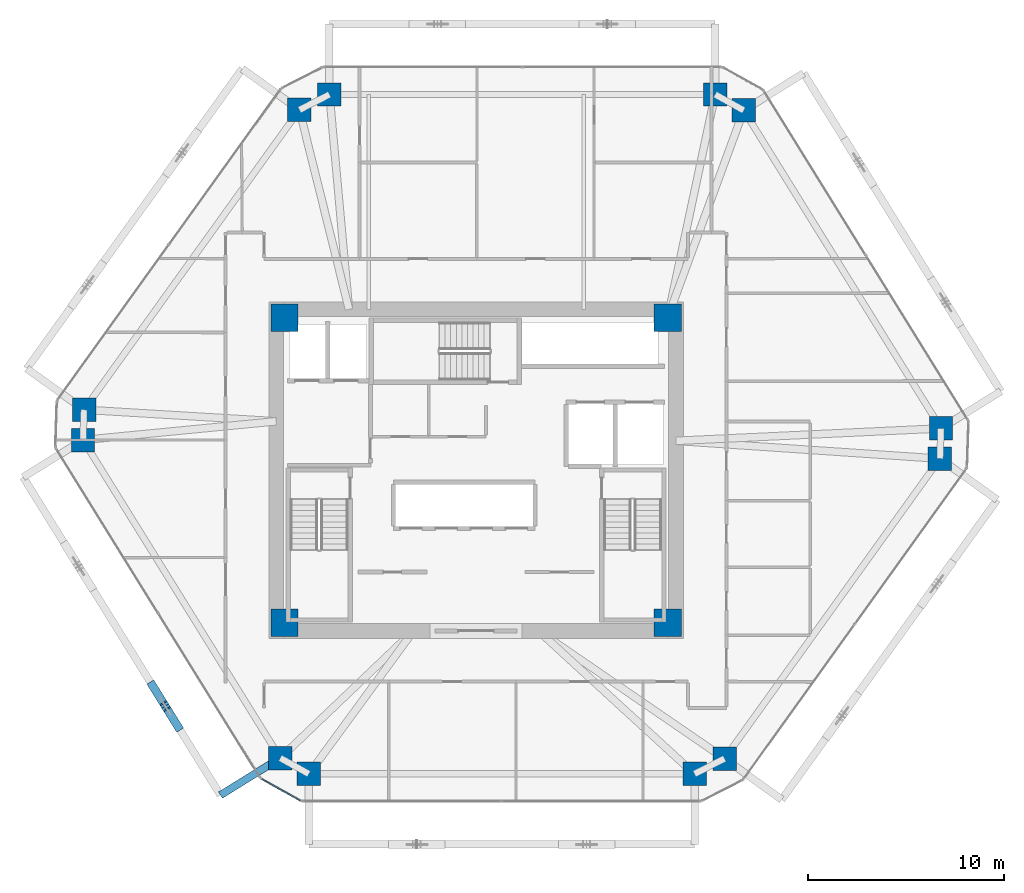
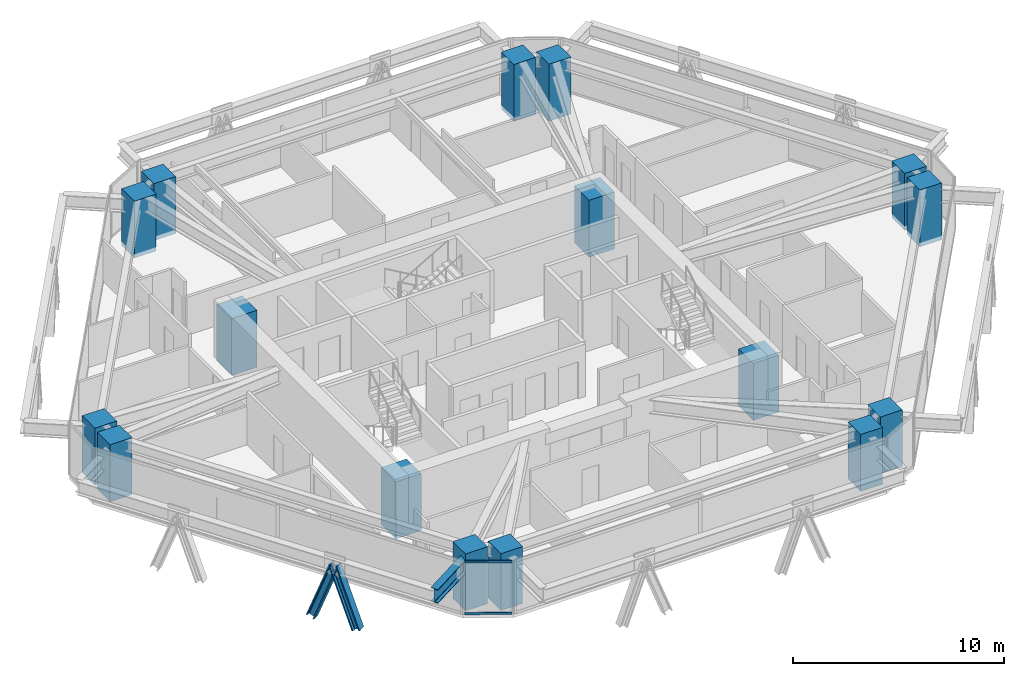
# One storey, part 1 of 16: 16 columns, 4 members, 1 beam, 1 element without a shape of its own.
"""IFC4 building model written with IfcOpenShell, lengths in metres."""

from ifc_helpers import new_model, si_unit, direction, frame, origin, origin_2d, place, context, subcontext, project, spatial, rectangle, i_section, extrude, source, transform, mapped, material, layer, layer_set, material_profile, profile_set, type_object, type_shapes, element, aggregate, save


model = new_model("IFC4")

# Units and contexts
model_context = context("Model", 3, precision=1e-05, world=origin(), true_north=direction((0.0, 1.0)))
body_context = subcontext(model_context, "Body", "Model", "MODEL_VIEW")
ifc_project = project(units=[si_unit("LENGTHUNIT", "METRE"), si_unit("AREAUNIT", "SQUARE_METRE"), si_unit("VOLUMEUNIT", "CUBIC_METRE"), si_unit("PLANEANGLEUNIT", "RADIAN"), si_unit("MASSUNIT", "GRAM", prefix="KILO")], contexts=[model_context])

# Site, building, storey
site_placement = place(None, origin())
site = spatial("IfcSite", under=ifc_project, at=site_placement, CompositionType="ELEMENT")
building_placement = place(site_placement, origin())
building = spatial("IfcBuilding", under=site, at=building_placement, Name="Durnholm Broadcast Tower", CompositionType="ELEMENT")
storey_placement = place(building_placement, frame((0.0, 0.0, 117.300048828125)))
storey = spatial("IfcBuildingStorey", under=building, at=storey_placement, Name="L31", CompositionType="ELEMENT", Elevation=117.300048828125)

# Columns
ifc_material_1 = material(Name="Concrete C70/85", Category="concrete")
ifc_material_profile_1 = material_profile(ifc_material_1, rectangle(XDim=1.39990234375, YDim=1.39990234375, at=origin_2d()), Name="RC1400X1400")
ifc_profile_set_1 = profile_set([ifc_material_profile_1], Name="Concrete C70/85")
column_type_1 = type_object("IfcColumnType", Name="COL-CC-1400", PredefinedType="COLUMN", material=ifc_profile_set_1)
shared_shape_1 = source(origin(), body_context, "Body", "SweptSolid", [
    extrude(rectangle(XDim=1.39990234375, YDim=1.39990234375, at=origin_2d()), origin(), (0.0, 0.0, 1.0), 3.300048828125),
])
type_shapes(column_type_1, [shared_shape_1])
for number, where, z_axis, x_axis, name in (
    (1, (-9.800048828125, -7.800048828125, -0.239990234375), (0.0, 0.0, 1.0), (1.0, 0.0, 0.0), "L31 core corner column 1"),
    (2, (9.800048828125, -7.800048828125, -0.239990234375), (0.0, 0.0, 1.0), (1.0, 0.0, 0.0), "L31 core corner column 2"),
    (3, (9.800048828125, 7.800048828125, -0.239990234375), (0.0, 0.0, 1.0), (1.0, 0.0, 0.0), "L31 core corner column 3"),
    (4, (-9.800048828125, 7.800048828125, -0.239990234375), (0.0, 0.0, 1.0), (1.0, 0.0, 0.0), "L31 core corner column 4"),
):
    element("IfcColumn", number, at=place(storey_placement, frame(where, z_axis=z_axis, x_axis=x_axis)), inside=storey, type_object=column_type_1, Name=name, PredefinedType="COLUMN", context=body_context, shape_type="MappedRepresentation", body=[
        mapped(shared_shape_1, transform((0.0, 0.0, 0.0), x_axis=(1.0, 0.0, 0.0), y_axis=(0.0, 1.0, 0.0), z_axis=(0.0, 0.0, 1.0), scale=1.0)),
    ])
ifc_material_profile_2 = material_profile(ifc_material_1, rectangle(XDim=1.199951171875, YDim=1.199951171875, at=origin_2d()), Name="RC1200X1200")
ifc_profile_set_2 = profile_set([ifc_material_profile_2], Name="Concrete C70/85")
column_type_2 = type_object("IfcColumnType", Name="COL-CC-1200", PredefinedType="COLUMN", material=ifc_profile_set_2)
shared_shape_2 = source(origin(), body_context, "Body", "SweptSolid", [
    extrude(rectangle(XDim=1.199951171875, YDim=1.199951171875, at=origin_2d()), origin(), (0.0, 0.0, 1.0), 3.300048828125),
])
type_shapes(column_type_2, [shared_shape_2])
for number, where, z_axis, x_axis, name in (
    (5, (-10.01416015625, -14.723388671875, -0.239990234375), (0.0, 0.0, 1.0), (1.0, 0.0, 0.0), "L31 perimeter hexagonal tube column 01"),
    (6, (-20.102783203125, 1.54150390625, -0.239990234375), (0.0, 0.0, 1.0), (1.0, 0.0, 0.0), "L31 perimeter hexagonal tube column 02"),
    (7, (-20.050048828125, 3.091064453125, -0.239990234375), (0.0, 0.0, 1.0), (1.0, 0.0, 0.0), "L31 perimeter hexagonal tube column 03"),
    (8, (-9.031982421875, 18.42822265625, -0.239990234375), (0.0, 0.0, 1.0), (1.0, 0.0, 0.0), "L31 perimeter hexagonal tube column 04"),
    (9, (-7.498046875, 19.215087890625, -0.239990234375), (0.0, 0.0, 1.0), (1.0, 0.0, 0.0), "L31 perimeter hexagonal tube column 05"),
    (10, (12.22998046875, 19.215087890625, -0.239990234375), (0.0, 0.0, 1.0), (1.0, 0.0, 0.0), "L31 perimeter hexagonal tube column 06"),
    (11, (13.692138671875, 18.4013671875, -0.239990234375), (0.0, 0.0, 1.0), (1.0, 0.0, 0.0), "L31 perimeter hexagonal tube column 07"),
    (12, (23.78076171875, 2.13671875, -0.239990234375), (0.0, 0.0, 1.0), (1.0, 0.0, 0.0), "L31 perimeter hexagonal tube column 08"),
    (13, (23.72802734375, 0.5869140625, -0.239990234375), (0.0, 0.0, 1.0), (1.0, 0.0, 0.0), "L31 perimeter hexagonal tube column 09"),
    (14, (12.7099609375, -14.750244140625, -0.239990234375), (0.0, 0.0, 1.0), (1.0, 0.0, 0.0), "L31 perimeter hexagonal tube column 10"),
    (15, (11.176025390625, -15.537109375, -0.239990234375), (0.0, 0.0, 1.0), (1.0, 0.0, 0.0), "L31 perimeter hexagonal tube column 11"),
    (16, (-8.552001953125, -15.537109375, -0.239990234375), (0.0, 0.0, 1.0), (1.0, 0.0, 0.0), "L31 perimeter hexagonal tube column 12"),
):
    element("IfcColumn", number, at=place(storey_placement, frame(where, z_axis=z_axis, x_axis=x_axis)), inside=storey, type_object=column_type_2, Name=name, PredefinedType="COLUMN", context=body_context, shape_type="MappedRepresentation", body=[
        mapped(shared_shape_2, transform((0.0, 0.0, 0.0), x_axis=(1.0, 0.0, 0.0), y_axis=(0.0, 1.0, 0.0), z_axis=(0.0, 0.0, 1.0), scale=1.0)),
    ])

# Beam
ifc_material_2 = material(Name="Steel ASTM A992 Grade 50", Category="steel")
ifc_material_profile_3 = material_profile(ifc_material_2, i_section(OverallWidth=0.385009765625, OverallDepth=0.802978515625, WebThickness=0.023681640625, FlangeThickness=0.0419921875, FilletRadius=0.032958984375, at=origin_2d()), Name="W30X261")
ifc_profile_set_3 = profile_set([ifc_material_profile_3], Name="Steel ASTM A992 Grade 50")
beam_type = type_object("IfcBeamType", Name="BM-EXO-TIE", PredefinedType="USERDEFINED", material=ifc_profile_set_3)
shared_shape_3 = source(origin(), body_context, "Body", "SweptSolid", [
    extrude(i_section(OverallWidth=0.385009765625, OverallDepth=0.802978515625, WebThickness=0.023681640625, FlangeThickness=0.0419921875, FilletRadius=0.032958984375, at=origin_2d()), origin(), (0.0, 0.0, 1.0), 3.455810546875),
])
type_shapes(beam_type, [shared_shape_3])
beam_placement = place(storey_placement, frame((-10.13671875, -14.79931640625, 2.30859375), z_axis=(-0.849807128357, -0.527093772107, 0.0), x_axis=(0.527093772107, -0.849807128357, 0.0)))
element("IfcBeam", 17, at=beam_placement, inside=storey, type_object=beam_type, Name="L31 exoskeleton stand-off tie bracket F6.2", ObjectType="GIRDER", PredefinedType="USERDEFINED", context=body_context, shape_type="MappedRepresentation", body=[
    mapped(shared_shape_3, transform((0.0, 0.0, 0.0), x_axis=(1.0, 0.0, 0.0), y_axis=(0.0, 1.0, 0.0), z_axis=(0.0, 0.0, 1.0), scale=1.0)),
])

# Members
ifc_material_3 = material(Name="Steel ASTM A913 Grade 65", Category="steel")
ifc_material_profile_4 = material_profile(ifc_material_3, i_section(OverallWidth=0.41845703125, OverallDepth=0.455078125, WebThickness=0.0419921875, FlangeThickness=0.067626953125, FilletRadius=0.030517578125, at=origin_2d()), Name="W14X370")
ifc_profile_set_4 = profile_set([ifc_material_profile_4], Name="Steel ASTM A913 Grade 65")
member_type_1 = type_object("IfcMemberType", Name="STL-DG-W14X370", PredefinedType="BRACE", material=ifc_profile_set_4)
shared_shape_4 = source(origin(), body_context, "Body", "SweptSolid", [
    extrude(i_section(OverallWidth=0.41845703125, OverallDepth=0.455078125, WebThickness=0.0419921875, FlangeThickness=0.067626953125, FilletRadius=0.030517578125, at=origin_2d()), origin(), (0.0, 0.0, 1.0), 3.523193359375),
])
type_shapes(member_type_1, [shared_shape_4])
for number, where, z_axis, x_axis, name in (
    (18, (-16.548583984375, -11.018310546875, -0.991455078125), (0.184606642766, -0.297560406921, 0.936684681032), (0.849750220063, 0.527185511469, 0.0), "L31 stand-off diagrid brace F6.D2.1"),
    (19, (-15.247802734375, -13.115234375, -0.991455078125), (-0.184602835855, 0.297623566065, 0.936665364961), (-0.849805205368, -0.527096872433, 0.0), "L31 stand-off diagrid brace F6.D2.2"),
):
    element("IfcMember", number, at=place(storey_placement, frame(where, z_axis=z_axis, x_axis=x_axis)), inside=storey, type_object=member_type_1, Name=name, PredefinedType="BRACE", context=body_context, shape_type="MappedRepresentation", body=[
        mapped(shared_shape_4, transform((0.0, 0.0, 0.0), x_axis=(1.0, 0.0, 0.0), y_axis=(0.0, 1.0, 0.0), z_axis=(0.0, 0.0, 1.0), scale=1.0)),
    ])

# Curtain wall, members
ifc_material_4 = material(Name="Aluminium and Solar Control IGU", Category="aluminium")
ifc_layer = layer(ifc_material_4, 0.1650390625)
ifc_layer_set = layer_set([ifc_layer], Name="Aluminium and Solar Control IGU")
curtain_wall_type = type_object("IfcCurtainWallType", Name="CW-SYS-5", PredefinedType="NOTDEFINED", material=ifc_layer_set)
curtain_wall_placement = place(storey_placement, origin())
curtain_wall = element("IfcCurtainWall", 20, at=curtain_wall_placement, inside=storey, type_object=curtain_wall_type, Name="L31 curtain wall CW-CORNER CW-L31-CRN-11", PredefinedType="NOTDEFINED")
ifc_material_5 = material(Name="Aluminium 6063-T6", Category="aluminium")
ifc_material_profile_5 = material_profile(ifc_material_5, rectangle(XDim=0.06494140625, YDim=0.1298828125, at=origin_2d()), Name="CWT65X130")
ifc_profile_set_5 = profile_set([ifc_material_profile_5], Name="Aluminium 6063-T6")
member_type_2 = type_object("IfcMemberType", Name="CW-SYS-5-TRN", PredefinedType="USERDEFINED", material=ifc_profile_set_5)
shared_shape_5 = source(origin(), body_context, "Body", "SweptSolid", [
    extrude(rectangle(XDim=0.06494140625, YDim=0.1298828125, at=origin_2d()), origin(), (0.0, 0.0, 1.0), 2.27001953125),
])
type_shapes(member_type_2, [shared_shape_5])
member_1_placement = place(storey_placement, frame((-8.971923828125, -16.9052734375, 0.032470703125), z_axis=(-0.873832405737, 0.486227237703, 0.0), x_axis=(-0.486227237703, -0.873832405737, 0.0)))
member_1 = element("IfcMember", 21, at=member_1_placement, type_object=member_type_2, Name="CW-CORNER transom 1.1", ObjectType="TRANSOM", PredefinedType="USERDEFINED", context=body_context, shape_type="MappedRepresentation", body=[
    mapped(shared_shape_5, transform((0.0, 0.0, 0.0), x_axis=(1.0, 0.0, 0.0), y_axis=(0.0, 1.0, 0.0), z_axis=(0.0, 0.0, 1.0), scale=1.0)),
])
member_2_placement = place(storey_placement, frame((-8.971923828125, -16.9052734375, 3.02734375), z_axis=(-0.873832405737, 0.486227237703, 0.0), x_axis=(-0.486227237703, -0.873832405737, 0.0)))
member_2 = element("IfcMember", 22, at=member_2_placement, type_object=member_type_2, Name="CW-CORNER transom 1.2", ObjectType="TRANSOM", PredefinedType="USERDEFINED", context=body_context, shape_type="MappedRepresentation", body=[
    mapped(shared_shape_5, transform((0.0, 0.0, 0.0), x_axis=(1.0, 0.0, 0.0), y_axis=(0.0, 1.0, 0.0), z_axis=(0.0, 0.0, 1.0), scale=1.0)),
])
aggregate(curtain_wall, [member_1, member_2])

save(model, "model.ifc")
